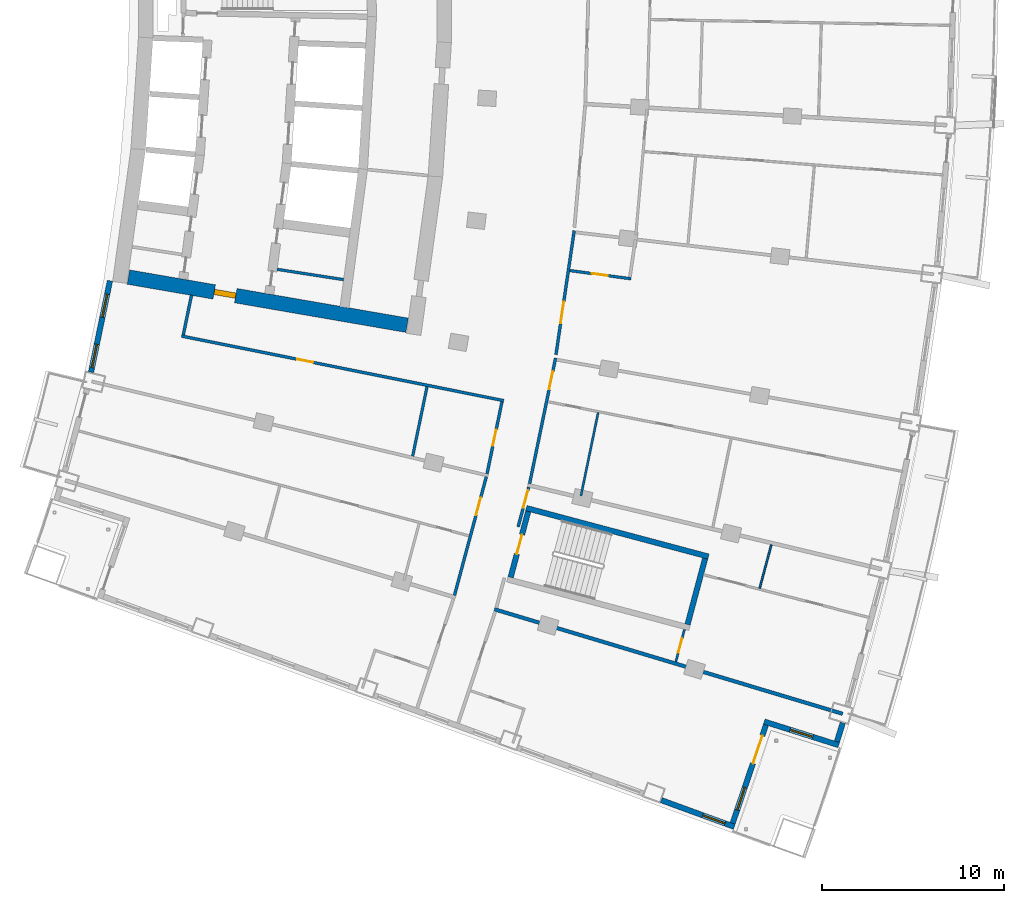
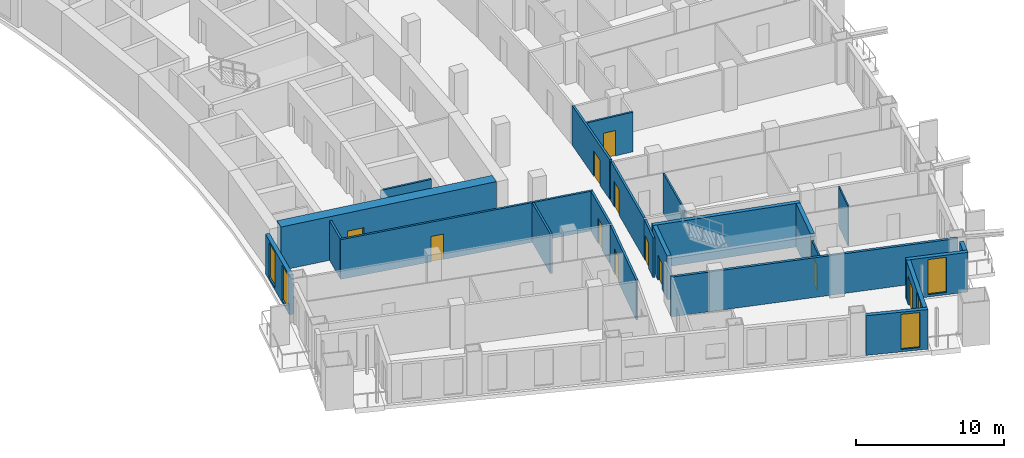
# One storey, part 14 of 25: 23 walls, 11 doors, 5 windows, 16 openings.
"""IFC4 building model written with IfcOpenShell, lengths in metres."""

import ifcopenshell
import ifcopenshell.guid

model = None  # the IFC model being written
_history = None  # IfcOwnerHistory: only IFC2X3 demands one
_inside = {}  # id of a spatial element -> (the spatial element, [elements in it])
_under = {}  # id of a project, library or spatial element -> (it, [spatial elements below it])
_declared = {}  # id of a project -> (the project, [libraries it declares])
_typed = {}  # id of a type object -> (the type object, [elements of that type])
_made_of = {}  # id of a material, layer set ... -> (it, [elements and type objects made of it])


def new_model(schema):
    """Start an empty IFC model of exactly this schema.

    Asked for "IFC4X3", IfcOpenShell would pick the latest addendum, in which some entities
    have other attributes; the version numbers below select the first issue.
    IFC2X3 requires an IfcOwnerHistory on every rooted entity: one is made here for all.
    """
    global model, _history
    if schema == "IFC4X3":
        model = ifcopenshell.file(schema_version=(4, 3, 0, 0))
    else:
        model = ifcopenshell.file(schema=schema)
    _inside.clear()
    _under.clear()
    _declared.clear()
    _typed.clear()
    _made_of.clear()
    _history = None
    if model.schema == "IFC2X3":
        org = make("IfcOrganization", Name="unknown")
        user = make(
            "IfcPersonAndOrganization",
            ThePerson=make("IfcPerson", FamilyName="unknown"),
            TheOrganization=org,
        )
        app = make(
            "IfcApplication",
            ApplicationDeveloper=org,
            Version="unknown",
            ApplicationFullName="unknown",
            ApplicationIdentifier="unknown",
        )
        _history = make(
            "IfcOwnerHistory",
            OwningUser=user,
            OwningApplication=app,
            ChangeAction="ADDED",
            CreationDate=0,
        )
    return model


def make(cls, **values):
    """One entity of the class cls with the attributes given. An attribute that is None is left unset."""
    return model.create_entity(
        cls, **{name: value for name, value in values.items() if value is not None}
    )


def rooted(cls, **values):
    """An entity with a GlobalId (a new one), such as an element, a storey or a relation."""
    return make(cls, GlobalId=ifcopenshell.guid.new(), OwnerHistory=_history, **values)


def si_unit(unit_type, name, prefix=None):
    """IfcSIUnit, for example si_unit("LENGTHUNIT", "METRE", prefix="MILLI")."""
    return make("IfcSIUnit", UnitType=unit_type, Prefix=prefix, Name=name)


def assignment(units):
    """IfcUnitAssignment: the units of a project."""
    return None if units is None else make("IfcUnitAssignment", Units=units)


def point(xyz):
    """IfcCartesianPoint."""
    return None if xyz is None else make("IfcCartesianPoint", Coordinates=xyz)


def direction(xyz):
    """IfcDirection."""
    return None if xyz is None else make("IfcDirection", DirectionRatios=xyz)


def frame(location, z_axis=None, x_axis=None):
    """IfcAxis2Placement3D, a coordinate frame: its origin and axes. An axis left out is left unset."""
    return make(
        "IfcAxis2Placement3D",
        Location=point(location),
        Axis=direction(z_axis),
        RefDirection=direction(x_axis),
    )


def frame_2d(location, x_axis=None):
    """IfcAxis2Placement2D, a coordinate frame in the plane: its origin and x axis."""
    return make(
        "IfcAxis2Placement2D", Location=point(location), RefDirection=direction(x_axis)
    )


def origin():
    """The frame at (0, 0, 0) with its axes left unset."""
    return frame((0.0, 0.0, 0.0))


def place(relative_to, where):
    """IfcLocalPlacement: puts the frame where relative to a parent placement (None: the world)."""
    return make(
        "IfcLocalPlacement", PlacementRelTo=relative_to, RelativePlacement=where
    )


def context(
    kind, dimensions, precision=None, world=None, true_north=None, identifier=None
):
    """IfcGeometricRepresentationContext, for example the 3D "Model" context."""
    return make(
        "IfcGeometricRepresentationContext",
        ContextIdentifier=identifier,
        ContextType=kind,
        CoordinateSpaceDimension=dimensions,
        Precision=precision,
        WorldCoordinateSystem=world,
        TrueNorth=true_north,
    )


def subcontext(parent, identifier, kind, view, scale=None):
    """IfcGeometricRepresentationSubContext, for example "Body" below "Model"."""
    return make(
        "IfcGeometricRepresentationSubContext",
        ContextIdentifier=identifier,
        ContextType=kind,
        ParentContext=parent,
        TargetScale=scale,
        TargetView=view,
    )


def project(units=None, contexts=None):
    """IfcProject with its units and contexts."""
    return rooted(
        "IfcProject",
        Name="project",
        RepresentationContexts=contexts,
        UnitsInContext=assignment(units),
    )


def spatial(cls, under=None, at=None, **own):
    """A site, building, storey or space (cls), placed at a placement, below another one or the project."""
    s = rooted(cls, ObjectPlacement=at, **own)
    if under is not None:
        _under.setdefault(under.id(), (under, []))[1].append(s)
    return s


def profile(cls, at=None, kind="AREA", **sizes):
    """A parametric profile (cls). Its sizes go by their IFC names, for example OverallWidth=200.0."""
    return make(cls, ProfileType=kind, Position=at, **sizes)


def rectangle(**sizes):
    """IfcRectangleProfileDef."""
    return profile("IfcRectangleProfileDef", **sizes)


def extrude(swept, where, along, depth):
    """IfcExtrudedAreaSolid: the profile swept, set in the frame where, extruded along a direction by depth."""
    return make(
        "IfcExtrudedAreaSolid",
        SweptArea=swept,
        Position=where,
        ExtrudedDirection=direction(along),
        Depth=depth,
    )


def shape(context_of_items, identifier, shape_type, items):
    """IfcShapeRepresentation: the items that make up one representation, for example the "Body"."""
    return make(
        "IfcShapeRepresentation",
        ContextOfItems=context_of_items,
        RepresentationIdentifier=identifier,
        RepresentationType=shape_type,
        Items=items,
    )


def material(Name=None, Category=None):
    """IfcMaterial."""
    return make("IfcMaterial", Name=Name, Category=Category)


def layer(
    of_material, thickness, ventilated=None, Name=None, Category=None, Priority=None
):
    """IfcMaterialLayer: one layer of a wall or slab, of a material (None: an air gap)."""
    return make(
        "IfcMaterialLayer",
        Material=of_material,
        LayerThickness=thickness,
        IsVentilated=ventilated,
        Name=Name,
        Category=Category,
        Priority=Priority,
    )


def layer_set(layers, Name=None):
    """IfcMaterialLayerSet."""
    return make("IfcMaterialLayerSet", MaterialLayers=layers, LayerSetName=Name)


def made_of(thing, what):
    """Note that an element or type object is made of a material, layer set ...; save() writes the relation."""
    if what is not None:
        _made_of.setdefault(what.id(), (what, []))[1].append(thing)
    return thing


def type_object(cls, material=None, **own):
    """A type object (cls), such as IfcWallType, which elements share."""
    return made_of(rooted(cls, **own), material)


def element(
    cls,
    number,
    at=None,
    inside=None,
    cuts=None,
    type_object=None,
    material=None,
    context=None,
    identifier="Body",
    shape_type=None,
    held_by="IfcProductDefinitionShape",
    body=None,
    shapes=None,
    **own,
):
    """One element of the class cls, such as IfcWall. Its Tag is "e" and its number.

    at: its placement. inside: the storey or other place that contains it. cuts: it is an
    opening in that element (IfcRelVoidsElement). A single representation is given by context,
    identifier, shape_type and body (its items); several are given by shapes. held_by: the class
    of the entity that holds the representations. save() writes the other relations.
    """
    e = rooted(cls, Tag="e%d" % number, ObjectPlacement=at, **own)
    if body is not None:
        shapes = [shape(context, identifier, shape_type, body)]
    if shapes is not None:
        e.Representation = make(held_by, Representations=shapes)
    if inside is not None:
        _inside.setdefault(inside.id(), (inside, []))[1].append(e)
    if cuts is not None:
        rooted(
            "IfcRelVoidsElement", RelatingBuildingElement=cuts, RelatedOpeningElement=e
        )
    if type_object is not None:
        _typed.setdefault(type_object.id(), (type_object, []))[1].append(e)
    return made_of(e, material)


def fill(opening, filler):
    """IfcRelFillsElement: the door or window that sits in an opening."""
    return rooted(
        "IfcRelFillsElement",
        RelatingOpeningElement=opening,
        RelatedBuildingElement=filler,
    )


def aggregate(whole, parts):
    """IfcRelAggregates: a whole, such as a stair, and the parts it consists of."""
    return rooted("IfcRelAggregates", RelatingObject=whole, RelatedObjects=parts)


def save(model, path):
    """Write the relations noted so far, then the file.

    IfcRelAggregates (storeys below a building ...), IfcRelContainedInSpatialStructure (elements
    in a storey), IfcRelDefinesByType, IfcRelAssociatesMaterial and IfcRelDeclares: one each for
    every whole, place, type object, material and project.
    """
    for whole, parts in _under.values():
        aggregate(whole, parts)
    for where, things in _inside.values():
        rooted(
            "IfcRelContainedInSpatialStructure",
            RelatedElements=things,
            RelatingStructure=where,
        )
    for kind, things in _typed.values():
        rooted("IfcRelDefinesByType", RelatedObjects=things, RelatingType=kind)
    for what, things in _made_of.values():
        rooted("IfcRelAssociatesMaterial", RelatedObjects=things, RelatingMaterial=what)
    for by, libraries in _declared.values():
        rooted("IfcRelDeclares", RelatingContext=by, RelatedDefinitions=libraries)
    model.write(path)


model = new_model("IFC4")

# Units and contexts
model_context = context("Model", 3, precision=1e-05, world=origin(), true_north=direction((0.0, 1.0)))
body_context = subcontext(model_context, "Body", "Model", "MODEL_VIEW")
ifc_project = project(units=[si_unit("LENGTHUNIT", "METRE"), si_unit("AREAUNIT", "SQUARE_METRE"), si_unit("VOLUMEUNIT", "CUBIC_METRE"), si_unit("PLANEANGLEUNIT", "RADIAN"), si_unit("MASSUNIT", "GRAM", prefix="KILO")], contexts=[model_context])

# Site, building, storey
site_placement = place(None, origin())
site = spatial("IfcSite", under=ifc_project, at=site_placement, CompositionType="ELEMENT")
building_placement = place(site_placement, origin())
building = spatial("IfcBuilding", under=site, at=building_placement, Name="Alderwake Tower", CompositionType="ELEMENT")
storey_placement = place(building_placement, frame((0.0, 0.0, 107.60009765625)))
storey = spatial("IfcBuildingStorey", under=building, at=storey_placement, Name="L26", CompositionType="ELEMENT", Elevation=107.60009765625)

# Wall
ifc_material_1 = material(Name="Gypsum shaft wall system, rated")
ifc_layer_1 = layer(ifc_material_1, 0.14990234375)
ifc_layer_set_1 = layer_set([ifc_layer_1], Name="Core room partition 150")
wall_type_1 = type_object("IfcWallType", Name="Core room partition 150", PredefinedType="PARTITIONING", material=ifc_layer_set_1)
wall_1_placement = place(storey_placement, frame((24.065185546875, 44.85009765625, 0.0), z_axis=(0.0, 0.0, 1.0), x_axis=(0.988172350529, -0.153347336626, 0.0)))
element("IfcWall", 1, at=wall_1_placement, inside=storey, type_object=wall_type_1, Name="CW/L26/PR-161_+86", PredefinedType="PARTITIONING", context=body_context, shape_type="SweptSolid", body=[
    extrude(rectangle(XDim=3.69677734375, YDim=0.14990234375, at=frame_2d((1.848388671875, 0.0))), origin(), (0.0, 0.0, 1.0), 3.27978515625),
])

# Wall, opening, door
ifc_material_2 = material(Name="Concrete C70/85", Category="concrete")
ifc_layer_2 = layer(ifc_material_2, 0.800048828125)
ifc_layer_set_2 = layer_set([ifc_layer_2], Name="Core wall outer 800 C70-85")
wall_type_2 = type_object("IfcWallType", Name="Core wall outer 800 C70-85", PredefinedType="SHEAR", material=ifc_layer_set_2)
wall_2_placement = place(storey_placement, frame((31.20458984375, 41.776611328125, 0.0), z_axis=(0.0, 0.0, 1.0), x_axis=(-0.985386537175, 0.170333121719, 0.0)))
wall_2 = element("IfcWall", 2, at=wall_2_placement, inside=storey, type_object=wall_type_2, Name="Core wall CW.071", PredefinedType="SHEAR", context=body_context, shape_type="SweptSolid", body=[
    extrude(rectangle(XDim=15.537109375, YDim=0.800048828125, at=frame_2d((7.7685546875, 0.0))), origin(), (0.0, 0.0, 1.0), 3.599853515625),
])
opening_1_placement = place(wall_2_placement, frame((9.5537109375, 0.0, 0.0)))
opening_1 = element("IfcOpeningElement", 3, at=opening_1_placement, cuts=wall_2, Name="Opening C003", PredefinedType="OPENING", context=body_context, shape_type="SweptSolid", body=[
    extrude(rectangle(XDim=1.199951171875, YDim=2.10009765625, at=frame_2d((0.60009765625, 1.050048828125))), frame((0.0, 0.409912109375, 0.0), z_axis=(0.0, -1.0, 0.0), x_axis=(1.0, 0.0, 0.0)), (0.0, 0.0, 1.0), 0.820068359375),
])
ifc_material_3 = material(Name="Steel-framed fire door leaf", Category="steel")
door_type_1 = type_object("IfcDoorType", Name="Core lobby exit door 1200 fire-rated", OperationType="SINGLE_SWING_LEFT", PredefinedType="DOOR", material=ifc_material_3)
door_1_placement = place(opening_1_placement, origin())
door_1 = element("IfcDoor", 4, at=door_1_placement, inside=storey, type_object=door_type_1, Name="Lobby door", OperationType="SINGLE_SWING_LEFT", OverallHeight=2.10009765625, OverallWidth=1.199951171875, PredefinedType="DOOR", context=body_context, shape_type="SweptSolid", body=[
    extrude(rectangle(XDim=1.199951171875, YDim=2.10009765625, at=frame_2d((0.60009765625, 1.050048828125))), frame((0.0, 0.14990234375, 0.0), z_axis=(0.0, -1.0, 0.0), x_axis=(1.0, 0.0, 0.0)), (0.0, 0.0, 1.0), 0.300048828125),
])
fill(opening_1, door_1)

# Wall
ifc_material_4 = material(Name="Concrete C70/85", Category="concrete")
ifc_layer_3 = layer(ifc_material_4, 0.300048828125)
ifc_layer_set_3 = layer_set([ifc_layer_3], Name="Core wall stair enclosure 300 C70-85")
wall_type_3 = type_object("IfcWallType", Name="Core wall stair enclosure 300 C70-85", PredefinedType="SHEAR", material=ifc_layer_set_3)
wall_3_placement = place(storey_placement, frame((37.75390625, 31.731201171875, 0.0), z_axis=(0.0, 0.0, 1.0), x_axis=(0.966309214305, -0.257383958996, 0.0)))
element("IfcWall", 5, at=wall_3_placement, inside=storey, type_object=wall_type_3, Name="Core wall CW.086", PredefinedType="SHEAR", context=body_context, shape_type="SweptSolid", body=[
    extrude(rectangle(XDim=10.360107421875, YDim=0.300048828125, at=frame_2d((5.18017578125, 0.0))), origin(), (0.0, 0.0, 1.0), 3.599853515625),
])

# Wall, opening, door
wall_4_placement = place(storey_placement, frame((36.89501953125, 27.923828125, 0.0), z_axis=(0.0, 0.0, 1.0), x_axis=(0.257350630826, 0.966318090907, 0.0)))
wall_4 = element("IfcWall", 6, at=wall_4_placement, inside=storey, type_object=wall_type_3, Name="Core wall CW.087", PredefinedType="SHEAR", context=body_context, shape_type="SweptSolid", body=[
    extrude(rectangle(XDim=3.75, YDim=0.300048828125, at=frame_2d((1.875, 0.0))), origin(), (0.0, 0.0, 1.0), 3.599853515625),
])
opening_2_placement = place(wall_4_placement, frame((1.324951171875, 0.0, 0.0)))
opening_2 = element("IfcOpeningElement", 7, at=opening_2_placement, cuts=wall_4, Name="Opening C065", PredefinedType="OPENING", context=body_context, shape_type="SweptSolid", body=[
    extrude(rectangle(XDim=1.10009765625, YDim=2.10009765625, at=frame_2d((0.550048828125, 1.050048828125))), frame((0.0, 0.159912109375, 0.0), z_axis=(0.0, -1.0, 0.0), x_axis=(1.0, 0.0, 0.0)), (0.0, 0.0, 1.0), 0.320068359375),
])
ifc_material_5 = material(Name="Steel-framed fire door leaf", Category="steel")
door_type_2 = type_object("IfcDoorType", Name="Core stair door 1100 fire-rated", OperationType="SINGLE_SWING_LEFT", PredefinedType="DOOR", material=ifc_material_5)
door_2_placement = place(opening_2_placement, origin())
door_2 = element("IfcDoor", 8, at=door_2_placement, inside=storey, type_object=door_type_2, Name="Stair door", OperationType="SINGLE_SWING_LEFT", OverallHeight=2.10009765625, OverallWidth=1.10009765625, PredefinedType="DOOR", context=body_context, shape_type="SweptSolid", body=[
    extrude(rectangle(XDim=1.10009765625, YDim=2.10009765625, at=frame_2d((0.550048828125, 1.050048828125))), frame((0.0, 0.02490234375, 0.0), z_axis=(0.0, -1.0, 0.0), x_axis=(1.0, 0.0, 0.0)), (0.0, 0.0, 1.0), 0.050048828125),
])
fill(opening_2, door_2)

# Wall
wall_5_placement = place(storey_placement, frame((46.6162109375, 25.334716796875, 0.0), z_axis=(0.0, 0.0, 1.0), x_axis=(0.257366821694, 0.966313778796, 0.0)))
element("IfcWall", 9, at=wall_5_placement, inside=storey, type_object=wall_type_3, Name="Core wall CW.085", PredefinedType="SHEAR", context=body_context, shape_type="SweptSolid", body=[
    extrude(rectangle(XDim=3.749755859375, YDim=0.300048828125, at=frame_2d((1.875, 0.0))), origin(), (0.0, 0.0, 1.0), 3.599853515625),
])

# Wall, opening, door
ifc_material_6 = material(Name="Gypsum board on metal studs, rated")
ifc_layer_4 = layer(ifc_material_6, 0.159912109375)
ifc_layer_set_4 = layer_set([ifc_layer_4], Name="Corridor wall 160")
wall_type_4 = type_object("IfcWallType", Name="Corridor wall 160", PredefinedType="PARTITIONING", material=ifc_layer_set_4)
wall_6_placement = place(storey_placement, frame((36.513427734375, 37.63427734375, 0.0), z_axis=(0.0, 0.0, 1.0), x_axis=(-0.980470254867, 0.1966674333, 0.0)))
wall_6 = element("IfcWall", 10, at=wall_6_placement, inside=storey, type_object=wall_type_4, Name="WL/L26/W18", PredefinedType="PARTITIONING", context=body_context, shape_type="SweptSolid", body=[
    extrude(rectangle(XDim=18.053466796875, YDim=0.159912109375, at=frame_2d((9.02685546875, 0.0))), origin(), (0.0, 0.0, 1.0), 3.27978515625),
])
opening_3_placement = place(wall_6_placement, frame((10.6767578125, 0.0, 0.0)))
opening_3 = element("IfcOpeningElement", 11, at=opening_3_placement, cuts=wall_6, Name="Opening R07-SBS1", PredefinedType="OPENING", context=body_context, shape_type="SweptSolid", body=[
    extrude(rectangle(XDim=0.89990234375, YDim=2.10009765625, at=frame_2d((0.449951171875, 1.050048828125))), frame((0.0, 0.08984375, 0.0), z_axis=(0.0, -1.0, 0.0), x_axis=(1.0, 0.0, 0.0)), (0.0, 0.0, 1.0), 0.179931640625),
])
ifc_material_7 = material(Name="Painted timber leaf", Category="wood")
door_type_3 = type_object("IfcDoorType", Name="Room door 900", OperationType="SINGLE_SWING_LEFT", PredefinedType="DOOR", material=ifc_material_7)
door_3_placement = place(opening_3_placement, origin())
door_3 = element("IfcDoor", 12, at=door_3_placement, inside=storey, type_object=door_type_3, Name="DR/L26/SBS1", OperationType="SINGLE_SWING_LEFT", OverallHeight=2.10009765625, OverallWidth=0.89990234375, PredefinedType="DOOR", context=body_context, shape_type="SweptSolid", body=[
    extrude(rectangle(XDim=0.89990234375, YDim=2.10009765625, at=frame_2d((0.449951171875, 1.050048828125))), frame((0.0, 0.02490234375, 0.0), z_axis=(0.0, -1.0, 0.0), x_axis=(1.0, 0.0, 0.0)), (0.0, 0.0, 1.0), 0.050048828125),
])
fill(opening_3, door_3)

# Wall
wall_7_placement = place(storey_placement, frame((19.35888671875, 43.430908203125, 0.0), z_axis=(0.0, 0.0, 1.0), x_axis=(-0.202554916658, -0.979270905183, 0.0)))
element("IfcWall", 13, at=wall_7_placement, inside=storey, type_object=wall_type_4, Name="WL/L26/W20", PredefinedType="PARTITIONING", context=body_context, shape_type="SweptSolid", body=[
    extrude(rectangle(XDim=2.229736328125, YDim=0.159912109375, at=frame_2d((1.11474609375, 0.0))), origin(), (0.0, 0.0, 1.0), 3.27978515625),
])

# Wall, opening, door
wall_8_placement = place(storey_placement, frame((33.808837890625, 26.9345703125, 0.0), z_axis=(0.0, 0.0, 1.0), x_axis=(0.259298911818, 0.965797118618, 0.0)))
wall_8 = element("IfcWall", 14, at=wall_8_placement, inside=storey, type_object=wall_type_4, Name="WL/L26/W23", PredefinedType="PARTITIONING", context=body_context, shape_type="SweptSolid", body=[
    extrude(rectangle(XDim=6.75, YDim=0.159912109375, at=frame_2d((3.375, 0.0))), origin(), (0.0, 0.0, 1.0), 3.27978515625),
])
opening_4_placement = place(wall_8_placement, frame((4.5576171875, 0.0, 0.0)))
opening_4 = element("IfcOpeningElement", 15, at=opening_4_placement, cuts=wall_8, Name="Opening R07-U11.2", PredefinedType="OPENING", context=body_context, shape_type="SweptSolid", body=[
    extrude(rectangle(XDim=1.0, YDim=2.10009765625, at=frame_2d((0.5, 1.050048828125))), frame((0.0, 0.08984375, 0.0), z_axis=(0.0, -1.0, 0.0), x_axis=(1.0, 0.0, 0.0)), (0.0, 0.0, 1.0), 0.179931640625),
])
ifc_material_8 = material(Name="Solid timber leaf in steel frame", Category="steel")
door_type_4 = type_object("IfcDoorType", Name="Flat entrance door 1000 fire-rated", OperationType="SINGLE_SWING_LEFT", PredefinedType="DOOR", material=ifc_material_8)
door_4_placement = place(opening_4_placement, origin())
door_4 = element("IfcDoor", 16, at=door_4_placement, inside=storey, type_object=door_type_4, Name="DR/L26/U11.2", OperationType="SINGLE_SWING_LEFT", OverallHeight=2.10009765625, OverallWidth=1.0, PredefinedType="DOOR", context=body_context, shape_type="SweptSolid", body=[
    extrude(rectangle(XDim=1.0, YDim=2.10009765625, at=frame_2d((0.5, 1.050048828125))), frame((0.0, 0.02490234375, 0.0), z_axis=(0.0, -1.0, 0.0), x_axis=(1.0, 0.0, 0.0)), (0.0, 0.0, 1.0), 0.050048828125),
])
fill(opening_4, door_4)

wall_9_placement = place(storey_placement, frame((35.59619140625, 33.609375, 0.0), z_axis=(0.0, 0.0, 1.0), x_axis=(0.203245920818, 0.979127721838, 0.0)))
wall_9 = element("IfcWall", 17, at=wall_9_placement, inside=storey, type_object=wall_type_4, Name="WL/L26/W29", PredefinedType="PARTITIONING", context=body_context, shape_type="SweptSolid", body=[
    extrude(rectangle(XDim=4.046875, YDim=0.159912109375, at=frame_2d((2.0234375, 0.0))), origin(), (0.0, 0.0, 1.0), 3.27978515625),
])
opening_5_placement = place(wall_9_placement, frame((1.573486328125, 0.0, 0.0)))
opening_5 = element("IfcOpeningElement", 18, at=opening_5_placement, cuts=wall_9, Name="Opening R07-SBS2", PredefinedType="OPENING", context=body_context, shape_type="SweptSolid", body=[
    extrude(rectangle(XDim=0.89990234375, YDim=2.10009765625, at=frame_2d((0.449951171875, 1.050048828125))), frame((0.0, 0.08984375, 0.0), z_axis=(0.0, -1.0, 0.0), x_axis=(1.0, 0.0, 0.0)), (0.0, 0.0, 1.0), 0.179931640625),
])
door_5_placement = place(opening_5_placement, origin())
door_5 = element("IfcDoor", 19, at=door_5_placement, inside=storey, type_object=door_type_3, Name="DR/L26/SBS2", OperationType="SINGLE_SWING_LEFT", OverallHeight=2.10009765625, OverallWidth=0.89990234375, PredefinedType="DOOR", context=body_context, shape_type="SweptSolid", body=[
    extrude(rectangle(XDim=0.89990234375, YDim=2.10009765625, at=frame_2d((0.449951171875, 1.050048828125))), frame((0.0, 0.02490234375, 0.0), z_axis=(0.0, -1.0, 0.0), x_axis=(1.0, 0.0, 0.0)), (0.0, 0.0, 1.0), 0.050048828125),
])
fill(opening_5, door_5)

wall_10_placement = place(storey_placement, frame((37.89111328125, 32.87939453125, 0.0), z_axis=(0.0, 0.0, 1.0), x_axis=(-0.259620578816, -0.965710699462, 0.0)))
wall_10 = element("IfcWall", 20, at=wall_10_placement, inside=storey, type_object=wall_type_4, Name="WL/L26/W32", PredefinedType="PARTITIONING", context=body_context, shape_type="SweptSolid", body=[
    extrude(rectangle(XDim=2.2578125, YDim=0.159912109375, at=frame_2d((1.12890625, 0.0))), origin(), (0.0, 0.0, 1.0), 3.27978515625),
])
opening_6_placement = place(wall_10_placement, frame((0.1708984375, 0.0, 0.0)))
opening_6 = element("IfcOpeningElement", 21, at=opening_6_placement, cuts=wall_10, Name="Opening R07-U01.1", PredefinedType="OPENING", context=body_context, shape_type="SweptSolid", body=[
    extrude(rectangle(XDim=1.0, YDim=2.10009765625, at=frame_2d((0.5, 1.050048828125))), frame((0.0, 0.08984375, 0.0), z_axis=(0.0, -1.0, 0.0), x_axis=(1.0, 0.0, 0.0)), (0.0, 0.0, 1.0), 0.179931640625),
])
door_6_placement = place(opening_6_placement, origin())
door_6 = element("IfcDoor", 22, at=door_6_placement, inside=storey, type_object=door_type_4, Name="DR/L26/U01.1", OperationType="SINGLE_SWING_LEFT", OverallHeight=2.10009765625, OverallWidth=1.0, PredefinedType="DOOR", context=body_context, shape_type="SweptSolid", body=[
    extrude(rectangle(XDim=1.0, YDim=2.10009765625, at=frame_2d((0.5, 1.050048828125))), frame((0.0, 0.02490234375, 0.0), z_axis=(0.0, -1.0, 0.0), x_axis=(1.0, 0.0, 0.0)), (0.0, 0.0, 1.0), 0.050048828125),
])
fill(opening_6, door_6)

wall_11_placement = place(storey_placement, frame((39.3642578125, 39.975341796875, 0.0), z_axis=(0.0, 0.0, 1.0), x_axis=(-0.202487611378, -0.979284824368, 0.0)))
wall_11 = element("IfcWall", 23, at=wall_11_placement, inside=storey, type_object=wall_type_4, Name="WL/L26/W33", PredefinedType="PARTITIONING", context=body_context, shape_type="SweptSolid", body=[
    extrude(rectangle(XDim=7.04736328125, YDim=0.159912109375, at=frame_2d((3.523681640625, 0.0))), origin(), (0.0, 0.0, 1.0), 3.27978515625),
])
opening_7_placement = place(wall_11_placement, frame((0.7568359375, 0.0, 0.0)))
opening_7 = element("IfcOpeningElement", 24, at=opening_7_placement, cuts=wall_11, Name="Opening R07-U05.2", PredefinedType="OPENING", context=body_context, shape_type="SweptSolid", body=[
    extrude(rectangle(XDim=1.0, YDim=2.10009765625, at=frame_2d((0.5, 1.050048828125))), frame((0.0, 0.08984375, 0.0), z_axis=(0.0, -1.0, 0.0), x_axis=(1.0, 0.0, 0.0)), (0.0, 0.0, 1.0), 0.179931640625),
])
door_7_placement = place(opening_7_placement, origin())
door_7 = element("IfcDoor", 25, at=door_7_placement, inside=storey, type_object=door_type_4, Name="DR/L26/U05.2", OperationType="SINGLE_SWING_LEFT", OverallHeight=2.10009765625, OverallWidth=1.0, PredefinedType="DOOR", context=body_context, shape_type="SweptSolid", body=[
    extrude(rectangle(XDim=1.0, YDim=2.10009765625, at=frame_2d((0.5, 1.050048828125))), frame((0.0, 0.02490234375, 0.0), z_axis=(0.0, -1.0, 0.0), x_axis=(1.0, 0.0, 0.0)), (0.0, 0.0, 1.0), 0.050048828125),
])
fill(opening_7, door_7)

wall_12_placement = place(storey_placement, frame((40.388671875, 46.97216796875, 0.0), z_axis=(0.0, 0.0, 1.0), x_axis=(-0.145535848078, -0.989352978933, 0.0)))
wall_12 = element("IfcWall", 26, at=wall_12_placement, inside=storey, type_object=wall_type_4, Name="WL/L26/W35", PredefinedType="PARTITIONING", context=body_context, shape_type="SweptSolid", body=[
    extrude(rectangle(XDim=6.884521484375, YDim=0.159912109375, at=frame_2d((3.4423828125, 0.0))), origin(), (0.0, 0.0, 1.0), 3.27978515625),
])
opening_8_placement = place(wall_12_placement, frame((3.943115234375, 0.0, 0.0)))
opening_8 = element("IfcOpeningElement", 27, at=opening_8_placement, cuts=wall_12, Name="Opening R07-AM1.1", PredefinedType="OPENING", context=body_context, shape_type="SweptSolid", body=[
    extrude(rectangle(XDim=1.199951171875, YDim=2.10009765625, at=frame_2d((0.60009765625, 1.050048828125))), frame((0.0, 0.08984375, 0.0), z_axis=(0.0, -1.0, 0.0), x_axis=(1.0, 0.0, 0.0)), (0.0, 0.0, 1.0), 0.179931640625),
])
ifc_material_9 = material(Name="Steel-framed fire door leaf", Category="steel")
door_type_5 = type_object("IfcDoorType", Name="Lobby door 1200 fire-rated", OperationType="SINGLE_SWING_LEFT", PredefinedType="DOOR", material=ifc_material_9)
door_8_placement = place(opening_8_placement, origin())
door_8 = element("IfcDoor", 28, at=door_8_placement, inside=storey, type_object=door_type_5, Name="DR/L26/AM1.1", OperationType="SINGLE_SWING_LEFT", OverallHeight=2.10009765625, OverallWidth=1.199951171875, PredefinedType="DOOR", context=body_context, shape_type="SweptSolid", body=[
    extrude(rectangle(XDim=1.199951171875, YDim=2.10009765625, at=frame_2d((0.60009765625, 1.050048828125))), frame((0.0, 0.02490234375, 0.0), z_axis=(0.0, -1.0, 0.0), x_axis=(1.0, 0.0, 0.0)), (0.0, 0.0, 1.0), 0.050048828125),
])
fill(opening_8, door_8)

# Wall
ifc_material_10 = material(Name="Precast concrete C50/60 spandrel panel", Category="concrete")
ifc_layer_5 = layer(ifc_material_10, 0.300048828125)
ifc_layer_set_5 = layer_set([ifc_layer_5], Name="External wall EW1 Precast concrete C50/60 spandrel")
wall_type_5 = type_object("IfcWallType", Name="External wall EW1 Precast concrete C50/60 spandrel", PredefinedType="SOLIDWALL", material=ifc_layer_set_5)
wall_13_placement = place(storey_placement, frame((54.824951171875, 18.89306640625, 0.0), z_axis=(0.0, 0.0, 1.0), x_axis=(0.294626445658, 0.955612503852, 0.0)))
element("IfcWall", 29, at=wall_13_placement, inside=storey, type_object=wall_type_5, Name="External wall 11", PredefinedType="SOLIDWALL", context=body_context, shape_type="SweptSolid", body=[
    extrude(rectangle(XDim=1.078857421875, YDim=0.300048828125, at=frame_2d((0.53955078125, 0.0))), origin(), (0.0, 0.0, 1.0), 3.27978515625),
])

# Wall, openings, windows
wall_14_placement = place(storey_placement, frame((14.878173828125, 44.223388671875, 0.0), z_axis=(0.0, 0.0, 1.0), x_axis=(-0.202723539143, -0.979236011734, 0.0)))
wall_14 = element("IfcWall", 30, at=wall_14_placement, inside=storey, type_object=wall_type_5, Name="External wall 35", PredefinedType="SOLIDWALL", context=body_context, shape_type="SweptSolid", body=[
    extrude(rectangle(XDim=5.134033203125, YDim=0.300048828125, at=frame_2d((2.56689453125, 0.0))), origin(), (0.0, 0.0, 1.0), 3.27978515625),
])
opening_9_placement = place(wall_14_placement, frame((0.75634765625, 0.0, 0.199951171875)))
opening_9 = element("IfcOpeningElement", 31, at=opening_9_placement, cuts=wall_14, Name="Opening W1", PredefinedType="OPENING", context=body_context, shape_type="SweptSolid", body=[
    extrude(rectangle(XDim=1.300048828125, YDim=2.89990234375, at=frame_2d((0.64990234375, 1.449951171875))), frame((0.0, 0.159912109375, 0.0), z_axis=(0.0, -1.0, 0.0), x_axis=(1.0, 0.0, 0.0)), (0.0, 0.0, 1.0), 0.320068359375),
])
opening_10_placement = place(wall_14_placement, frame((3.569091796875, 0.0, 0.199951171875)))
opening_10 = element("IfcOpeningElement", 32, at=opening_10_placement, cuts=wall_14, Name="Opening W1", PredefinedType="OPENING", context=body_context, shape_type="SweptSolid", body=[
    extrude(rectangle(XDim=1.300048828125, YDim=2.89990234375, at=frame_2d((0.64990234375, 1.449951171875))), frame((0.0, 0.159912109375, 0.0), z_axis=(0.0, -1.0, 0.0), x_axis=(1.0, 0.0, 0.0)), (0.0, 0.0, 1.0), 0.320068359375),
])
ifc_material_11 = material(Name="Bronze tinted glass in aluminium frame", Category="aluminium")
window_type = type_object("IfcWindowType", Name="Window W1 tall fixed and vent", PartitioningType="DOUBLE_PANEL_VERTICAL", PredefinedType="WINDOW", material=ifc_material_11)
window_1_placement = place(opening_9_placement, origin())
window_1 = element("IfcWindow", 33, at=window_1_placement, inside=storey, type_object=window_type, Name="Window W1 tall fixed and vent", OverallHeight=2.89990234375, OverallWidth=1.300048828125, PartitioningType="DOUBLE_PANEL_VERTICAL", PredefinedType="WINDOW", context=body_context, shape_type="SweptSolid", body=[
    extrude(rectangle(XDim=1.300048828125, YDim=2.89990234375, at=frame_2d((0.64990234375, 1.449951171875))), frame((0.0, 0.030029296875, 0.0), z_axis=(0.0, -1.0, 0.0), x_axis=(1.0, 0.0, 0.0)), (0.0, 0.0, 1.0), 0.06005859375),
])
fill(opening_9, window_1)
window_2_placement = place(opening_10_placement, origin())
window_2 = element("IfcWindow", 34, at=window_2_placement, inside=storey, type_object=window_type, Name="Window W1 tall fixed and vent", OverallHeight=2.89990234375, OverallWidth=1.300048828125, PartitioningType="DOUBLE_PANEL_VERTICAL", PredefinedType="WINDOW", context=body_context, shape_type="SweptSolid", body=[
    extrude(rectangle(XDim=1.300048828125, YDim=2.89990234375, at=frame_2d((0.64990234375, 1.449951171875))), frame((0.0, 0.030029296875, 0.0), z_axis=(0.0, -1.0, 0.0), x_axis=(1.0, 0.0, 0.0)), (0.0, 0.0, 1.0), 0.06005859375),
])
fill(opening_10, window_2)

# Wall, opening, window
ifc_material_12 = material(Name="Bronze metal cladding on lightweight framing")
ifc_layer_6 = layer(ifc_material_12, 0.300048828125)
ifc_layer_set_6 = layer_set([ifc_layer_6], Name="External wall EW2 bronze metal cladding")
wall_type_6 = type_object("IfcWallType", Name="External wall EW2 bronze metal cladding", PredefinedType="SOLIDWALL", material=ifc_layer_set_6)
wall_15_placement = place(storey_placement, frame((45.174560546875, 15.680419921875, 0.0), z_axis=(0.0, 0.0, 1.0), x_axis=(0.939370471817, -0.342903946722, 0.0)))
wall_15 = element("IfcWall", 35, at=wall_15_placement, inside=storey, type_object=wall_type_6, Name="External wall 8", PredefinedType="SOLIDWALL", context=body_context, shape_type="SweptSolid", body=[
    extrude(rectangle(XDim=4.271240234375, YDim=0.300048828125, at=frame_2d((2.1357421875, 0.0))), origin(), (0.0, 0.0, 1.0), 3.27978515625),
])
opening_11_placement = place(wall_15_placement, frame((2.421630859375, 0.0, 0.199951171875)))
opening_11 = element("IfcOpeningElement", 36, at=opening_11_placement, cuts=wall_15, Name="Opening W1", PredefinedType="OPENING", context=body_context, shape_type="SweptSolid", body=[
    extrude(rectangle(XDim=1.300048828125, YDim=2.89990234375, at=frame_2d((0.64990234375, 1.449951171875))), frame((0.0, 0.159912109375, 0.0), z_axis=(0.0, -1.0, 0.0), x_axis=(1.0, 0.0, 0.0)), (0.0, 0.0, 1.0), 0.320068359375),
])
window_3_placement = place(opening_11_placement, origin())
window_3 = element("IfcWindow", 37, at=window_3_placement, inside=storey, type_object=window_type, Name="Window W1 tall fixed and vent", OverallHeight=2.89990234375, OverallWidth=1.300048828125, PartitioningType="DOUBLE_PANEL_VERTICAL", PredefinedType="WINDOW", context=body_context, shape_type="SweptSolid", body=[
    extrude(rectangle(XDim=1.300048828125, YDim=2.89990234375, at=frame_2d((0.64990234375, 1.449951171875))), frame((0.0, 0.030029296875, 0.0), z_axis=(0.0, -1.0, 0.0), x_axis=(1.0, 0.0, 0.0)), (0.0, 0.0, 1.0), 0.06005859375),
])
fill(opening_11, window_3)

# Wall, openings, door, window
wall_16_placement = place(storey_placement, frame((49.093994140625, 14.4091796875, 0.0), z_axis=(0.0, 0.0, 1.0), x_axis=(0.320859050392, 0.947126955472, 0.0)))
wall_16 = element("IfcWall", 38, at=wall_16_placement, inside=storey, type_object=wall_type_6, Name="External wall 9", PredefinedType="SOLIDWALL", context=body_context, shape_type="SweptSolid", body=[
    extrude(rectangle(XDim=5.704345703125, YDim=0.300048828125, at=frame_2d((2.85205078125, 0.0))), origin(), (0.0, 0.0, 1.0), 3.27978515625),
])
opening_12_placement = place(wall_16_placement, frame((0.776123046875, 0.0, 0.199951171875)))
opening_12 = element("IfcOpeningElement", 39, at=opening_12_placement, cuts=wall_16, Name="Opening W1", PredefinedType="OPENING", context=body_context, shape_type="SweptSolid", body=[
    extrude(rectangle(XDim=1.300048828125, YDim=2.89990234375, at=frame_2d((0.64990234375, 1.449951171875))), frame((0.0, 0.159912109375, 0.0), z_axis=(0.0, -1.0, 0.0), x_axis=(1.0, 0.0, 0.0)), (0.0, 0.0, 1.0), 0.320068359375),
])
opening_13_placement = place(wall_16_placement, frame((3.478271484375, 0.0, 0.0)))
opening_13 = element("IfcOpeningElement", 40, at=opening_13_placement, cuts=wall_16, Name="Opening D02", PredefinedType="OPENING", context=body_context, shape_type="SweptSolid", body=[
    extrude(rectangle(XDim=1.60009765625, YDim=2.39990234375, at=frame_2d((0.800048828125, 1.199951171875))), frame((0.0, 0.159912109375, 0.0), z_axis=(0.0, -1.0, 0.0), x_axis=(1.0, 0.0, 0.0)), (0.0, 0.0, 1.0), 0.320068359375),
])
ifc_material_13 = material(Name="Bronze tinted glass in aluminium frame", Category="aluminium")
door_type_6 = type_object("IfcDoorType", Name="Terrace door TD sliding", OperationType="SLIDING_TO_LEFT", PredefinedType="DOOR", material=ifc_material_13)
door_9_placement = place(opening_13_placement, origin())
door_9 = element("IfcDoor", 41, at=door_9_placement, inside=storey, type_object=door_type_6, Name="Door D02", OperationType="SLIDING_TO_LEFT", OverallHeight=2.39990234375, OverallWidth=1.60009765625, PredefinedType="DOOR", context=body_context, shape_type="SweptSolid", body=[
    extrude(rectangle(XDim=1.60009765625, YDim=2.39990234375, at=frame_2d((0.800048828125, 1.199951171875))), frame((0.0, 0.02490234375, 0.0), z_axis=(0.0, -1.0, 0.0), x_axis=(1.0, 0.0, 0.0)), (0.0, 0.0, 1.0), 0.050048828125),
])
fill(opening_13, door_9)
window_4_placement = place(opening_12_placement, origin())
window_4 = element("IfcWindow", 42, at=window_4_placement, inside=storey, type_object=window_type, Name="Window W1 tall fixed and vent", OverallHeight=2.89990234375, OverallWidth=1.300048828125, PartitioningType="DOUBLE_PANEL_VERTICAL", PredefinedType="WINDOW", context=body_context, shape_type="SweptSolid", body=[
    extrude(rectangle(XDim=1.300048828125, YDim=2.89990234375, at=frame_2d((0.64990234375, 1.449951171875))), frame((0.0, 0.030029296875, 0.0), z_axis=(0.0, -1.0, 0.0), x_axis=(1.0, 0.0, 0.0)), (0.0, 0.0, 1.0), 0.06005859375),
])
fill(opening_12, window_4)

# Wall, opening, window
wall_17_placement = place(storey_placement, frame((50.829345703125, 19.999267578125, 0.0), z_axis=(0.0, 0.0, 1.0), x_axis=(0.953453695683, -0.30153946705, 0.0)))
wall_17 = element("IfcWall", 43, at=wall_17_placement, inside=storey, type_object=wall_type_6, Name="External wall 10", PredefinedType="SOLIDWALL", context=body_context, shape_type="SweptSolid", body=[
    extrude(rectangle(XDim=4.29443359375, YDim=0.300048828125, at=frame_2d((2.147216796875, 0.0))), origin(), (0.0, 0.0, 1.0), 3.27978515625),
])
opening_14_placement = place(wall_17_placement, frame((1.4970703125, 0.0, 0.199951171875)))
opening_14 = element("IfcOpeningElement", 44, at=opening_14_placement, cuts=wall_17, Name="Opening W1", PredefinedType="OPENING", context=body_context, shape_type="SweptSolid", body=[
    extrude(rectangle(XDim=1.300048828125, YDim=2.89990234375, at=frame_2d((0.64990234375, 1.449951171875))), frame((0.0, 0.159912109375, 0.0), z_axis=(0.0, -1.0, 0.0), x_axis=(1.0, 0.0, 0.0)), (0.0, 0.0, 1.0), 0.320068359375),
])
window_5_placement = place(opening_14_placement, origin())
window_5 = element("IfcWindow", 45, at=window_5_placement, inside=storey, type_object=window_type, Name="Window W1 tall fixed and vent", OverallHeight=2.89990234375, OverallWidth=1.300048828125, PartitioningType="DOUBLE_PANEL_VERTICAL", PredefinedType="WINDOW", context=body_context, shape_type="SweptSolid", body=[
    extrude(rectangle(XDim=1.300048828125, YDim=2.89990234375, at=frame_2d((0.64990234375, 1.449951171875))), frame((0.0, 0.030029296875, 0.0), z_axis=(0.0, -1.0, 0.0), x_axis=(1.0, 0.0, 0.0)), (0.0, 0.0, 1.0), 0.06005859375),
])
fill(opening_14, window_5)

# Walls
ifc_material_14 = material(Name="Dense block masonry wall", Category="masonry")
ifc_layer_7 = layer(ifc_material_14, 0.199951171875)
ifc_layer_set_7 = layer_set([ifc_layer_7], Name="Party wall 200")
wall_type_7 = type_object("IfcWallType", Name="Party wall 200", PredefinedType="SOLIDWALL", material=ifc_layer_set_7)
wall_18_placement = place(storey_placement, frame((36.00439453125, 26.1708984375, 0.0), z_axis=(0.0, 0.0, 1.0), x_axis=(0.957781542148, -0.287496986975, 0.0)))
element("IfcWall", 46, at=wall_18_placement, inside=storey, type_object=wall_type_7, Name="WL/L26/W05", PredefinedType="SOLIDWALL", context=body_context, shape_type="SweptSolid", body=[
    extrude(rectangle(XDim=19.97900390625, YDim=0.199951171875, at=frame_2d((9.989501953125, 0.0))), origin(), (0.0, 0.0, 1.0), 3.27978515625),
])
ifc_material_15 = material(Name="Gypsum shaft wall system, rated")
ifc_layer_8 = layer(ifc_material_15, 0.14990234375)
ifc_layer_set_8 = layer_set([ifc_layer_8], Name="Riser and shaft wall 150")
wall_type_8 = type_object("IfcWallType", Name="Riser and shaft wall 150", PredefinedType="PARTITIONING", material=ifc_layer_set_8)
wall_19_placement = place(storey_placement, frame((31.51025390625, 34.581298828125, 0.0), z_axis=(0.0, 0.0, 1.0), x_axis=(0.202642899892, 0.979252702383, 0.0)))
element("IfcWall", 47, at=wall_19_placement, inside=storey, type_object=wall_type_8, Name="WL/L26/W12", PredefinedType="PARTITIONING", context=body_context, shape_type="SweptSolid", body=[
    extrude(rectangle(XDim=3.896240234375, YDim=0.14990234375, at=frame_2d((1.9482421875, 0.0))), origin(), (0.0, 0.0, 1.0), 3.27978515625),
])

# Wall, opening, door
wall_20_placement = place(storey_placement, frame((40.147216796875, 44.7822265625, 0.0), z_axis=(0.0, 0.0, 1.0), x_axis=(0.991087891329, -0.133209577962, 0.0)))
wall_20 = element("IfcWall", 48, at=wall_20_placement, inside=storey, type_object=wall_type_8, Name="WL/L26/W14", PredefinedType="PARTITIONING", context=body_context, shape_type="SweptSolid", body=[
    extrude(rectangle(XDim=3.394287109375, YDim=0.14990234375, at=frame_2d((1.697265625, 0.0))), origin(), (0.0, 0.0, 1.0), 3.27978515625),
])
opening_15_placement = place(wall_20_placement, frame((1.209228515625, 0.0, 0.0)))
opening_15 = element("IfcOpeningElement", 49, at=opening_15_placement, cuts=wall_20, Name="Opening R07-AM1.2", PredefinedType="OPENING", context=body_context, shape_type="SweptSolid", body=[
    extrude(rectangle(XDim=0.89990234375, YDim=2.10009765625, at=frame_2d((0.449951171875, 1.050048828125))), frame((0.0, 0.0849609375, 0.0), z_axis=(0.0, -1.0, 0.0), x_axis=(1.0, 0.0, 0.0)), (0.0, 0.0, 1.0), 0.169921875),
])
door_10_placement = place(opening_15_placement, origin())
door_10 = element("IfcDoor", 50, at=door_10_placement, inside=storey, type_object=door_type_3, Name="DR/L26/AM1.2", OperationType="SINGLE_SWING_LEFT", OverallHeight=2.10009765625, OverallWidth=0.89990234375, PredefinedType="DOOR", context=body_context, shape_type="SweptSolid", body=[
    extrude(rectangle(XDim=0.89990234375, YDim=2.10009765625, at=frame_2d((0.449951171875, 1.050048828125))), frame((0.0, 0.02490234375, 0.0), z_axis=(0.0, -1.0, 0.0), x_axis=(1.0, 0.0, 0.0)), (0.0, 0.0, 1.0), 0.050048828125),
])
fill(opening_15, door_10)

# Walls
ifc_material_16 = material(Name="Gypsum board on metal studs")
ifc_layer_9 = layer(ifc_material_16, 0.10009765625)
ifc_layer_set_9 = layer_set([ifc_layer_9], Name="Unit partition 100")
wall_type_9 = type_object("IfcWallType", Name="Unit partition 100", PredefinedType="PARTITIONING", material=ifc_layer_set_9)
wall_21_placement = place(storey_placement, frame((50.574951171875, 27.32421875, 0.0), z_axis=(0.0, 0.0, 1.0), x_axis=(0.259739710308, 0.965678664406, 0.0)))
element("IfcWall", 51, at=wall_21_placement, inside=storey, type_object=wall_type_9, Name="WL/L26/W84", PredefinedType="PARTITIONING", context=body_context, shape_type="SweptSolid", body=[
    extrude(rectangle(XDim=2.47216796875, YDim=0.10009765625, at=frame_2d((1.236083984375, 0.0))), origin(), (0.0, 0.0, 1.0), 3.27978515625),
])
ifc_material_17 = material(Name="Moisture resistant gypsum board on metal studs")
ifc_layer_10 = layer(ifc_material_17, 0.1201171875)
ifc_layer_set_10 = layer_set([ifc_layer_10], Name="Wet room partition 120")
wall_type_10 = type_object("IfcWallType", Name="Wet room partition 120", PredefinedType="PARTITIONING", material=ifc_layer_set_10)
wall_22_placement = place(storey_placement, frame((40.75732421875, 32.402099609375, 0.0), z_axis=(0.0, 0.0, 1.0), x_axis=(0.202555554597, 0.97927077323, 0.0)))
element("IfcWall", 52, at=wall_22_placement, inside=storey, type_object=wall_type_10, Name="WL/L26/W54", PredefinedType="PARTITIONING", context=body_context, shape_type="SweptSolid", body=[
    extrude(rectangle(XDim=4.677734375, YDim=0.1201171875, at=frame_2d((2.3388671875, 0.0))), origin(), (0.0, 0.0, 1.0), 3.27978515625),
])

# Wall, opening, door
wall_23_placement = place(storey_placement, frame((45.970947265625, 23.28369140625, 0.0), z_axis=(0.0, 0.0, 1.0), x_axis=(0.258764710752, 0.965940383497, 0.0)))
wall_23 = element("IfcWall", 53, at=wall_23_placement, inside=storey, type_object=wall_type_10, Name="WL/L26/W62", PredefinedType="PARTITIONING", context=body_context, shape_type="SweptSolid", body=[
    extrude(rectangle(XDim=1.847412109375, YDim=0.1201171875, at=frame_2d((0.923828125, 0.0))), origin(), (0.0, 0.0, 1.0), 3.27978515625),
])
opening_16_placement = place(wall_23_placement, frame((0.523681640625, 0.0, 0.0)))
opening_16 = element("IfcOpeningElement", 54, at=opening_16_placement, cuts=wall_23, Name="Opening R07-U01.4", PredefinedType="OPENING", context=body_context, shape_type="SweptSolid", body=[
    extrude(rectangle(XDim=0.800048828125, YDim=2.10009765625, at=frame_2d((0.39990234375, 1.050048828125))), frame((0.0, 0.070068359375, 0.0), z_axis=(0.0, -1.0, 0.0), x_axis=(1.0, 0.0, 0.0)), (0.0, 0.0, 1.0), 0.14013671875),
])
ifc_material_18 = material(Name="Painted timber leaf", Category="wood")
door_type_7 = type_object("IfcDoorType", Name="Bathroom door 800", OperationType="SINGLE_SWING_LEFT", PredefinedType="DOOR", material=ifc_material_18)
door_11_placement = place(opening_16_placement, origin())
door_11 = element("IfcDoor", 55, at=door_11_placement, inside=storey, type_object=door_type_7, Name="DR/L26/U01.4", OperationType="SINGLE_SWING_LEFT", OverallHeight=2.10009765625, OverallWidth=0.800048828125, PredefinedType="DOOR", context=body_context, shape_type="SweptSolid", body=[
    extrude(rectangle(XDim=0.800048828125, YDim=2.10009765625, at=frame_2d((0.39990234375, 1.050048828125))), frame((0.0, 0.02490234375, 0.0), z_axis=(0.0, -1.0, 0.0), x_axis=(1.0, 0.0, 0.0)), (0.0, 0.0, 1.0), 0.050048828125),
])
fill(opening_16, door_11)

save(model, "model.ifc")
